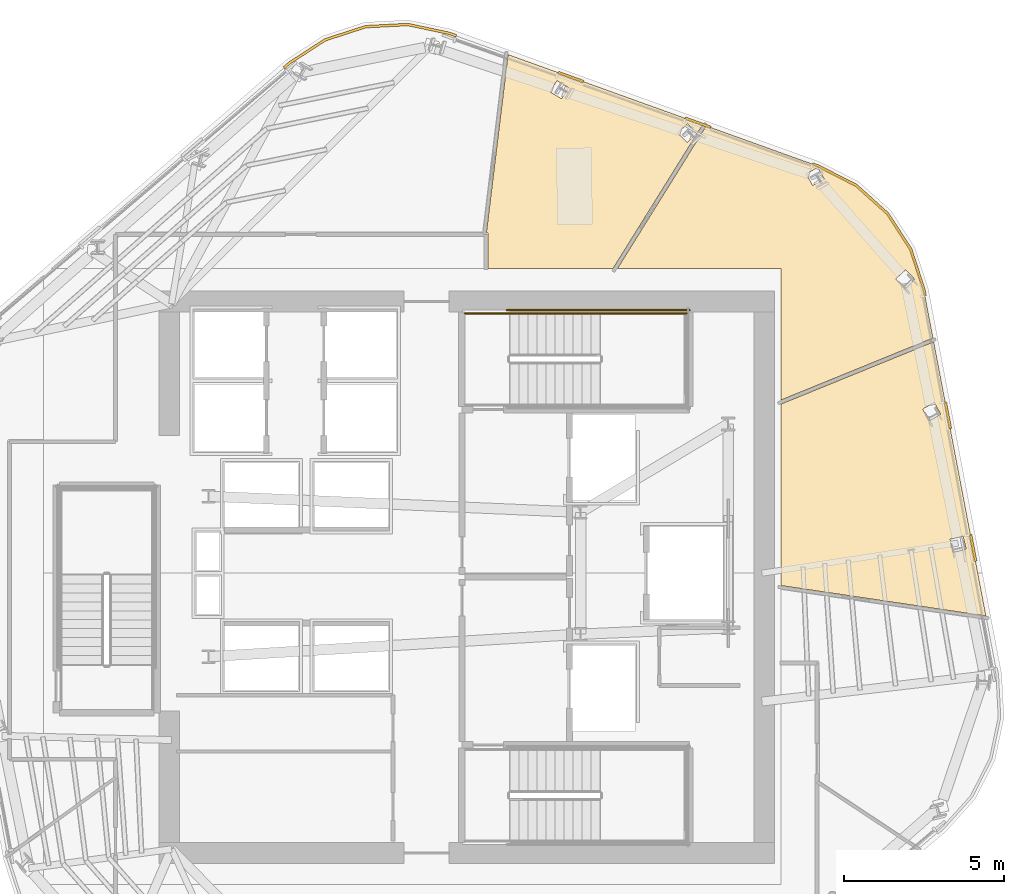
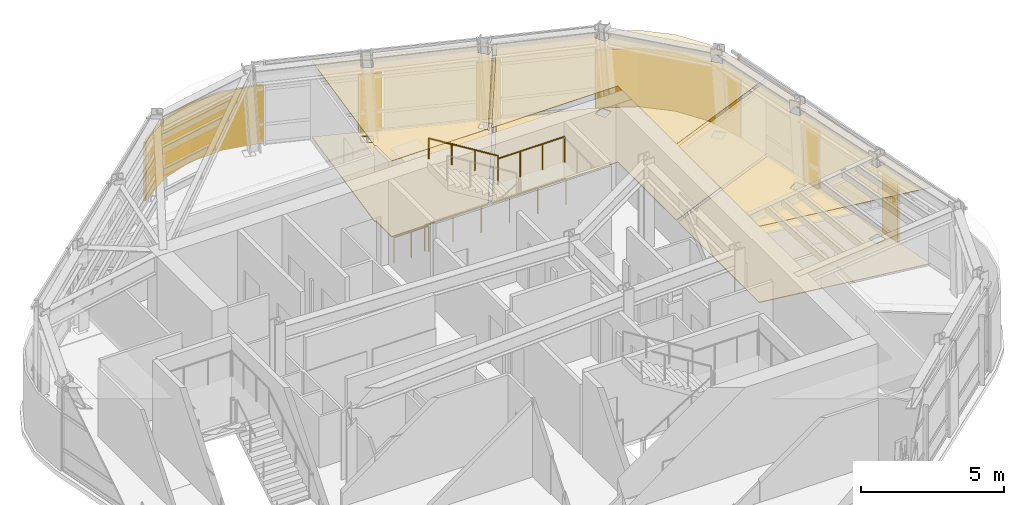
# One storey, part 13 of 14: 12 coverings, 4 railings.
"""IFC4 building model written with IfcOpenShell, lengths in metres."""

from ifc_helpers import new_model, si_unit, direction, frame, origin, origin_2d, place, context, subcontext, project, spatial, polyline, circle, outline, extrude, material, layer, layer_set, type_object, element, save


model = new_model("IFC4")

# Units and contexts
model_context = context("Model", 3, precision=1e-05, world=origin(), true_north=direction((0.0, 1.0)))
body_context = subcontext(model_context, "Body", "Model", "MODEL_VIEW")
ifc_project = project(units=[si_unit("LENGTHUNIT", "METRE"), si_unit("AREAUNIT", "SQUARE_METRE"), si_unit("VOLUMEUNIT", "CUBIC_METRE"), si_unit("PLANEANGLEUNIT", "RADIAN"), si_unit("MASSUNIT", "GRAM", prefix="KILO")], contexts=[model_context])

# Site, building, storey
site_placement = place(None, origin())
site = spatial("IfcSite", under=ifc_project, at=site_placement, CompositionType="ELEMENT")
building_placement = place(site_placement, origin())
building = spatial("IfcBuilding", under=site, at=building_placement, Name="Valkerne Bourse Tower", CompositionType="ELEMENT")
storey_placement = place(building_placement, frame((0.0, 0.0, 198.0)))
storey = spatial("IfcBuildingStorey", under=building, at=storey_placement, Name="L50", CompositionType="ELEMENT", Elevation=198.0)

# Coverings
ifc_material_1 = material(Name="Mineral Fiber Acoustic Ceiling Tile", Category="acoustic")
ifc_layer_1 = layer(ifc_material_1, 0.02490234375)
ifc_layer_set_1 = layer_set([ifc_layer_1], Name="Mineral Fiber Acoustic Ceiling Tile")
covering_type_1 = type_object("IfcCoveringType", Name="COV-CEIL-ACT", PredefinedType="CEILING", material=ifc_layer_set_1)
covering_1_placement = place(storey_placement, frame((0.0, 0.0, 3.25)))
element("IfcCovering", 1, at=covering_1_placement, inside=storey, type_object=covering_type_1, Name="L50 Suspended Ceiling 09", PredefinedType="CEILING", context=body_context, shape_type="SweptSolid", body=[
    extrude(outline(polyline([(47.468994140625, 37.5634765625), (47.45166015625, 37.606201171875), (47.4150390625, 37.626220703125), (48.087158203125, 43.166259765625), (54.152587890625, 40.984619140625), (51.3603515625, 36.5), (47.468994140625, 36.5), (47.468994140625, 37.5634765625)]), holes=[polyline([(53.681396484375, 41.009521484375), (53.6796875, 41.010498046875), (53.38134765625, 40.7265625), (53.666015625, 40.426513671875), (53.668212890625, 40.425537109375), (53.96630859375, 40.70947265625), (53.681396484375, 41.009521484375)]), polyline([(49.96875, 42.1416015625), (49.61279296875, 42.3525390625), (49.610595703125, 42.35302734375), (49.40087890625, 41.998779296875), (49.7568359375, 41.78759765625), (49.7587890625, 41.787109375), (49.96875, 42.1416015625)])]), origin(), (0.0, 0.0, 1.0), 0.02490234375),
])
covering_2_placement = place(storey_placement, frame((0.0, 0.0, 3.25)))
element("IfcCovering", 2, at=covering_2_placement, inside=storey, type_object=covering_type_1, Name="L50 Suspended Ceiling 10", PredefinedType="CEILING", context=body_context, shape_type="SweptSolid", body=[
    extrude(outline(polyline([(61.35546875, 34.2119140625), (62.982666015625, 25.668701171875), (56.60009765625, 26.615966796875), (56.60009765625, 32.274169921875), (61.35546875, 34.2119140625)]), holes=[polyline([(62.36669921875, 27.755859375), (62.270263671875, 28.155517578125), (61.8671875, 28.05859375), (61.867431640625, 28.056396484375), (61.9638671875, 27.65673828125), (62.36669921875, 27.753662109375), (62.36669921875, 27.755859375)]), polyline([(61.57470703125, 31.960205078125), (61.372802734375, 32.318359375), (61.01171875, 32.115478515625), (61.012451171875, 32.11328125), (61.214111328125, 31.7548828125), (61.5751953125, 31.9580078125), (61.57470703125, 31.960205078125)])]), origin(), (0.0, 0.0, 1.0), 0.02490234375),
])
covering_3_placement = place(storey_placement, frame((0.0, 0.0, 3.25)))
element("IfcCovering", 3, at=covering_3_placement, inside=storey, type_object=covering_type_1, Name="L50 Suspended Ceiling 11", PredefinedType="CEILING", context=body_context, shape_type="SweptSolid", body=[
    extrude(outline(polyline([(59.917236328125, 38.203125), (60.635986328125, 37.096435546875), (61.046630859375, 35.83203125), (61.332763671875, 34.330078125), (56.60009765625, 32.401611328125), (56.60009765625, 36.5), (51.49951171875, 36.5), (54.26611328125, 40.943603515625), (57.752197265625, 39.689697265625), (58.9365234375, 39.086181640625), (59.917236328125, 38.203125)]), holes=[polyline([(60.76123046875, 36.16455078125), (60.4755859375, 36.4599609375), (60.177490234375, 36.172119140625), (60.1787109375, 36.170166015625), (60.464599609375, 35.874755859375), (60.7626953125, 36.16259765625), (60.76123046875, 36.16455078125)]), polyline([(57.744140625, 39.6455078125), (57.742431640625, 39.647216796875), (57.382080078125, 39.447998046875), (57.58154296875, 39.085693359375), (57.583251953125, 39.084228515625), (57.943603515625, 39.283447265625), (57.744140625, 39.6455078125)])]), origin(), (0.0, 0.0, 1.0), 0.02490234375),
])
ifc_material_2 = material(Name="Bronze Anodised Aluminium AA 6063-T6", Category="aluminium")
ifc_layer_2 = layer(ifc_material_2, 0.06005859375)
ifc_layer_set_2 = layer_set([ifc_layer_2], Name="Bronze Anodised Aluminium AA 6063-T6")
covering_type_2 = type_object("IfcCoveringType", Name="COV-CRN-ALUM", PredefinedType="CLADDING", material=ifc_layer_set_2)
covering_4_placement = place(storey_placement, origin())
element("IfcCovering", 4, at=covering_4_placement, inside=storey, type_object=covering_type_2, Name="L50 Wind-Shaped Corner Aluminium Cladding 13", PredefinedType="CLADDING", context=body_context, shape_type="SweptSolid", body=[
    extrude(outline(polyline([(41.247802734375, 42.93408203125), (42.369384765625, 43.66259765625), (43.635498046875, 44.073974609375), (44.96484375, 44.1435546875), (46.273193359375, 43.865478515625), (46.488037109375, 43.7880859375), (46.46142578125, 43.712890625), (46.251220703125, 43.788330078125), (44.95849609375, 44.06298828125), (43.650390625, 43.99462890625), (42.404296875, 43.589599609375), (41.2958984375, 42.8701171875), (41.126708984375, 42.72412109375), (41.07470703125, 42.784912109375), (41.247802734375, 42.93408203125)])), origin(), (0.0, 0.0, 1.0), 2.5),
])
covering_5_placement = place(storey_placement, origin())
element("IfcCovering", 5, at=covering_5_placement, inside=storey, type_object=covering_type_2, Name="L50 Wind-Shaped Corner Aluminium Cladding 14", PredefinedType="CLADDING", context=body_context, shape_type="SweptSolid", body=[
    extrude(outline(polyline([(50.451416015625, 42.362548828125), (50.4248046875, 42.287109375), (49.634521484375, 42.5712890625), (49.6611328125, 42.646728515625), (50.451416015625, 42.362548828125)])), origin(), (0.0, 0.0, 1.0), 2.5),
])
covering_6_placement = place(storey_placement, origin())
element("IfcCovering", 6, at=covering_6_placement, inside=storey, type_object=covering_type_2, Name="L50 Wind-Shaped Corner Aluminium Cladding 15", PredefinedType="CLADDING", context=body_context, shape_type="SweptSolid", body=[
    extrude(outline(polyline([(54.414794921875, 40.936767578125), (54.38818359375, 40.861328125), (53.597900390625, 41.145751953125), (53.62451171875, 41.22119140625), (54.414794921875, 40.936767578125)])), origin(), (0.0, 0.0, 1.0), 2.5),
])
covering_7_placement = place(storey_placement, origin())
element("IfcCovering", 7, at=covering_7_placement, inside=storey, type_object=covering_type_2, Name="L50 Wind-Shaped Corner Aluminium Cladding 16", PredefinedType="CLADDING", context=body_context, shape_type="SweptSolid", body=[
    extrude(outline(polyline([(57.76953125, 39.72998046875), (58.9619140625, 39.122802734375), (59.950927734375, 38.23193359375), (60.676025390625, 37.115478515625), (61.08935546875, 35.843017578125), (61.12548828125, 35.653564453125), (61.046875, 35.638916015625), (61.01171875, 35.8232421875), (60.60302734375, 37.080810546875), (59.8896484375, 38.1796875), (58.916015625, 39.05615234375), (57.73779296875, 39.656494140625), (57.561279296875, 39.719970703125), (57.587890625, 39.79541015625), (57.76953125, 39.72998046875)])), origin(), (0.0, 0.0, 1.0), 2.5),
])
covering_8_placement = place(storey_placement, origin())
element("IfcCovering", 8, at=covering_8_placement, inside=storey, type_object=covering_type_2, Name="L50 Wind-Shaped Corner Aluminium Cladding 17", PredefinedType="CLADDING", context=body_context, shape_type="SweptSolid", body=[
    extrude(outline(polyline([(61.91357421875, 31.515869140625), (61.8349609375, 31.501220703125), (61.677734375, 32.326416015625), (61.756591796875, 32.341064453125), (61.91357421875, 31.515869140625)])), origin(), (0.0, 0.0, 1.0), 2.5),
])
covering_9_placement = place(storey_placement, origin())
element("IfcCovering", 9, at=covering_9_placement, inside=storey, type_object=covering_type_2, Name="L50 Wind-Shaped Corner Aluminium Cladding 18", PredefinedType="CLADDING", context=body_context, shape_type="SweptSolid", body=[
    extrude(outline(polyline([(62.70166015625, 27.378173828125), (62.623046875, 27.363525390625), (62.4658203125, 28.188720703125), (62.544677734375, 28.203369140625), (62.70166015625, 27.378173828125)])), origin(), (0.0, 0.0, 1.0), 2.5),
])
ifc_material_3 = material(Name="Galvanised Painted Steel", Category="steel")
ifc_layer_3 = layer(ifc_material_3, 0.044921875)
ifc_layer_set_3 = layer_set([ifc_layer_3], Name="Galvanised Painted Steel")
covering_type_3 = type_object("IfcCoveringType", Name="COV-FLR-RAF", PredefinedType="FLOORING", material=ifc_layer_set_3)
covering_10_placement = place(storey_placement, origin())
element("IfcCovering", 10, at=covering_10_placement, inside=storey, type_object=covering_type_3, Name="L50 Floor Finish 09", PredefinedType="FLOORING", context=body_context, shape_type="SweptSolid", body=[
    extrude(outline(polyline([(47.468994140625, 37.5634765625), (47.45166015625, 37.606201171875), (47.4150390625, 37.626220703125), (48.087158203125, 43.166259765625), (54.152587890625, 40.984619140625), (51.3603515625, 36.5), (47.468994140625, 36.5), (47.468994140625, 37.5634765625)]), holes=[polyline([(53.681396484375, 41.009521484375), (53.6796875, 41.010498046875), (53.38134765625, 40.7265625), (53.666015625, 40.426513671875), (53.668212890625, 40.425537109375), (53.96630859375, 40.70947265625), (53.681396484375, 41.009521484375)]), polyline([(49.96875, 42.1416015625), (49.61279296875, 42.3525390625), (49.610595703125, 42.35302734375), (49.40087890625, 41.998779296875), (49.7568359375, 41.78759765625), (49.7587890625, 41.787109375), (49.96875, 42.1416015625)])]), origin(), (0.0, 0.0, 1.0), 0.044921875),
])
ifc_material_4 = material(Name="Polished Granite Stone", Category="masonry")
ifc_layer_4 = layer(ifc_material_4, 0.030029296875)
ifc_layer_set_4 = layer_set([ifc_layer_4], Name="Polished Granite Stone")
covering_type_4 = type_object("IfcCoveringType", Name="COV-FLR-TERRAZZO", PredefinedType="FLOORING", material=ifc_layer_set_4)
covering_11_placement = place(storey_placement, origin())
element("IfcCovering", 11, at=covering_11_placement, inside=storey, type_object=covering_type_4, Name="L50 Floor Finish 10", PredefinedType="FLOORING", context=body_context, shape_type="SweptSolid", body=[
    extrude(outline(polyline([(61.35546875, 34.2119140625), (62.982666015625, 25.668701171875), (56.60009765625, 26.615966796875), (56.60009765625, 32.274169921875), (61.35546875, 34.2119140625)]), holes=[polyline([(62.36669921875, 27.755859375), (62.270263671875, 28.155517578125), (61.8671875, 28.05859375), (61.867431640625, 28.056396484375), (61.9638671875, 27.65673828125), (62.36669921875, 27.753662109375), (62.36669921875, 27.755859375)]), polyline([(61.57470703125, 31.960205078125), (61.372802734375, 32.318359375), (61.01171875, 32.115478515625), (61.012451171875, 32.11328125), (61.214111328125, 31.7548828125), (61.5751953125, 31.9580078125), (61.57470703125, 31.960205078125)])]), origin(), (0.0, 0.0, 1.0), 0.030029296875),
])
covering_12_placement = place(storey_placement, origin())
element("IfcCovering", 12, at=covering_12_placement, inside=storey, type_object=covering_type_4, Name="L50 Floor Finish 11", PredefinedType="FLOORING", context=body_context, shape_type="SweptSolid", body=[
    extrude(outline(polyline([(59.917236328125, 38.203125), (60.635986328125, 37.096435546875), (61.046630859375, 35.83203125), (61.332763671875, 34.330078125), (56.60009765625, 32.401611328125), (56.60009765625, 36.5), (51.49951171875, 36.5), (54.26611328125, 40.943603515625), (57.752197265625, 39.689697265625), (58.9365234375, 39.086181640625), (59.917236328125, 38.203125)]), holes=[polyline([(60.76123046875, 36.16455078125), (60.4755859375, 36.4599609375), (60.177490234375, 36.172119140625), (60.1787109375, 36.170166015625), (60.464599609375, 35.874755859375), (60.7626953125, 36.16259765625), (60.76123046875, 36.16455078125)]), polyline([(57.744140625, 39.6455078125), (57.742431640625, 39.647216796875), (57.382080078125, 39.447998046875), (57.58154296875, 39.085693359375), (57.583251953125, 39.084228515625), (57.943603515625, 39.283447265625), (57.744140625, 39.6455078125)])]), origin(), (0.0, 0.0, 1.0), 0.030029296875),
])

# Railings
railing_type_1 = type_object("IfcRailingType", Name="RLG-ST-GUARD-1120", PredefinedType="GUARDRAIL", material=ifc_material_3)
railing_1_placement = place(storey_placement, frame((50.949951171875, 35.10009765625, 1.89990234375)))
element("IfcRailing", 13, at=railing_1_placement, inside=storey, type_object=railing_type_1, Name="L50 ST-2 stair guard 4", PredefinedType="GUARDRAIL", context=body_context, shape_type="SweptSolid", body=[
    extrude(circle(Radius=0.02392578125, at=origin_2d()), frame((0.0, 0.0, 1.09619140625), z_axis=(1.0, 0.0, 0.0), x_axis=(0.0, 1.0, 0.0)), (0.0, 0.0, 1.0), 2.699951171875),
    extrude(circle(Radius=0.02099609375, at=origin_2d()), origin(), (0.0, 0.0, 1.0), 1.072021484375),
    extrude(circle(Radius=0.02099609375, at=origin_2d()), frame((0.89990234375, 0.0, 0.0)), (0.0, 0.0, 1.0), 1.072021484375),
    extrude(circle(Radius=0.02099609375, at=origin_2d()), frame((1.800048828125, 0.0, 0.0)), (0.0, 0.0, 1.0), 1.072021484375),
    extrude(circle(Radius=0.02099609375, at=origin_2d()), frame((2.699951171875, 0.0, 0.0)), (0.0, 0.0, 1.0), 1.072021484375),
])
railing_2_placement = place(storey_placement, frame((46.75, 35.10009765625, 0.0)))
element("IfcRailing", 14, at=railing_2_placement, inside=storey, type_object=railing_type_1, Name="L50 ST-2 stair guard 9", PredefinedType="GUARDRAIL", context=body_context, shape_type="SweptSolid", body=[
    extrude(circle(Radius=0.02392578125, at=origin_2d()), frame((0.0, 0.0, 1.09619140625), z_axis=(1.0, 0.0, 0.0), x_axis=(0.0, 1.0, 0.0)), (0.0, 0.0, 1.0), 1.39990234375),
    extrude(circle(Radius=0.02099609375, at=origin_2d()), origin(), (0.0, 0.0, 1.0), 1.072021484375),
    extrude(circle(Radius=0.02099609375, at=origin_2d()), frame((0.699951171875, 0.0, 0.0)), (0.0, 0.0, 1.0), 1.072021484375),
    extrude(circle(Radius=0.02099609375, at=origin_2d()), frame((1.39990234375, 0.0, 0.0)), (0.0, 0.0, 1.0), 1.072021484375),
])
railing_3_placement = place(storey_placement, frame((48.050048828125, 35.199951171875, 0.0)))
element("IfcRailing", 15, at=railing_3_placement, inside=storey, type_object=railing_type_1, Name="L50 ST-2 stair guard 11", PredefinedType="GUARDRAIL", context=body_context, shape_type="SweptSolid", body=[
    extrude(circle(Radius=0.02392578125, at=origin_2d()), frame((0.0, 0.0, 1.09619140625), z_axis=(1.0, 0.0, 0.0), x_axis=(0.0, 1.0, 0.0)), (0.0, 0.0, 1.0), 5.699951171875),
    extrude(circle(Radius=0.02099609375, at=origin_2d()), origin(), (0.0, 0.0, 1.0), 1.072021484375),
    extrude(circle(Radius=0.02099609375, at=origin_2d()), frame((1.139892578125, 0.0, 0.0)), (0.0, 0.0, 1.0), 1.072021484375),
    extrude(circle(Radius=0.02099609375, at=origin_2d()), frame((2.280029296875, 0.0, 0.0)), (0.0, 0.0, 1.0), 1.072021484375),
    extrude(circle(Radius=0.02099609375, at=origin_2d()), frame((3.419921875, 0.0, 0.0)), (0.0, 0.0, 1.0), 1.072021484375),
    extrude(circle(Radius=0.02099609375, at=origin_2d()), frame((4.56005859375, 0.0, 0.0)), (0.0, 0.0, 1.0), 1.072021484375),
    extrude(circle(Radius=0.02099609375, at=origin_2d()), frame((5.699951171875, 0.0, 0.0)), (0.0, 0.0, 1.0), 1.072021484375),
])
ifc_material_5 = material(Name="Stainless Steel AISI 316", Category="steel")
railing_type_2 = type_object("IfcRailingType", Name="RLG-ST-HANDRAIL-900", PredefinedType="HANDRAIL", material=ifc_material_5)
railing_4_placement = place(storey_placement, frame((50.949951171875, 35.10009765625, 2.245361328125)))
element("IfcRailing", 16, at=railing_4_placement, inside=storey, type_object=railing_type_2, Name="L50 ST-2 stair handrail 2", PredefinedType="HANDRAIL", context=body_context, shape_type="SweptSolid", body=[
    extrude(circle(Radius=0.02392578125, at=origin_2d()), frame((0.0, 0.0, 0.8759765625), z_axis=(-0.851089632645, 0.0, 0.525020415988), x_axis=(0.0, -1.0, 0.0)), (0.0, 0.0, 1.0), 3.2900390625),
    extrude(circle(Radius=0.02099609375, at=origin_2d()), origin(), (0.0, 0.0, 1.0), 0.851806640625),
    extrude(circle(Radius=0.02099609375, at=origin_2d()), frame((-0.933349609375, 0.0, 0.57568359375)), (0.0, 0.0, 1.0), 0.851806640625),
    extrude(circle(Radius=0.02099609375, at=origin_2d()), frame((-1.86669921875, 0.0, 1.151611328125)), (0.0, 0.0, 1.0), 0.851806640625),
    extrude(circle(Radius=0.02099609375, at=origin_2d()), frame((-2.800048828125, 0.0, 1.727294921875)), (0.0, 0.0, 1.0), 0.851806640625),
])

save(model, "model.ifc")
